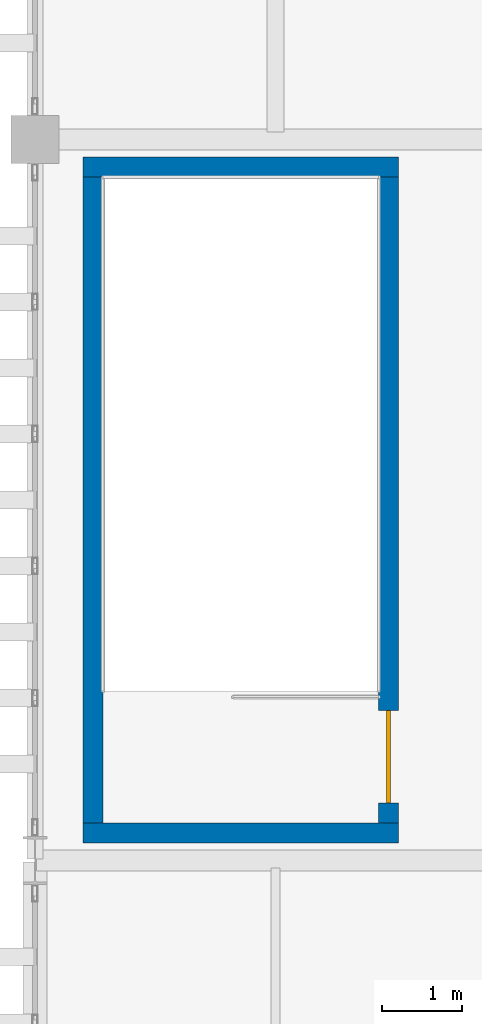
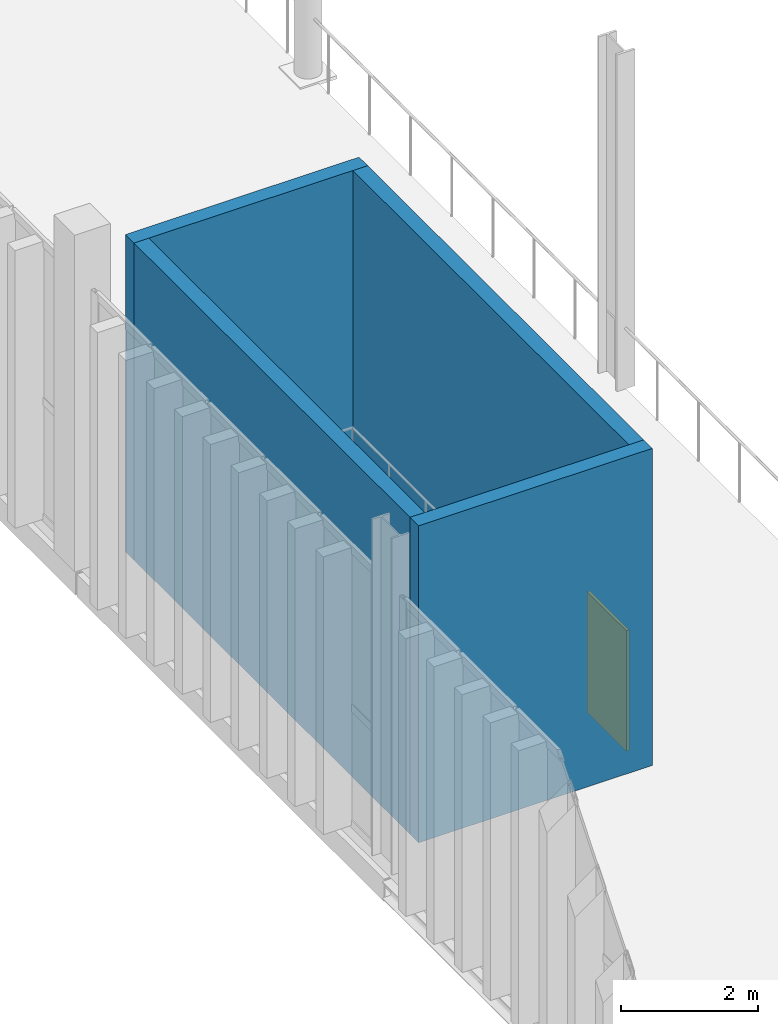
# One storey, part 178 of 211: 4 walls, 1 door, 1 opening.
"""IFC4 building model written with IfcOpenShell, lengths in metres."""

from ifc_helpers import new_model, si_unit, direction, frame, frame_2d, origin, place, context, subcontext, project, spatial, rectangle, extrude, material, layer, layer_set, type_object, element, fill, save


model = new_model("IFC4")

# Units and contexts
model_context = context("Model", 3, precision=1e-05, world=origin(), true_north=direction((0.0, 1.0)))
body_context = subcontext(model_context, "Body", "Model", "MODEL_VIEW")
ifc_project = project(units=[si_unit("LENGTHUNIT", "METRE"), si_unit("AREAUNIT", "SQUARE_METRE"), si_unit("VOLUMEUNIT", "CUBIC_METRE"), si_unit("PLANEANGLEUNIT", "RADIAN"), si_unit("MASSUNIT", "GRAM", prefix="KILO")], contexts=[model_context])

# Site, building, storey
site_placement = place(None, origin())
site = spatial("IfcSite", under=ifc_project, at=site_placement, CompositionType="ELEMENT")
building_placement = place(site_placement, origin())
building = spatial("IfcBuilding", under=site, at=building_placement, Name="Barlavento Convention Centre", CompositionType="ELEMENT")
storey_placement = place(building_placement, frame((0.0, 0.0, 6.0)))
storey = spatial("IfcBuildingStorey", under=building, at=storey_placement, Name="L01", CompositionType="ELEMENT", Elevation=6.0)

# Wall
ifc_material_1 = material(Name="Concrete C50/60", Category="concrete")
ifc_layer = layer(ifc_material_1, 0.25)
ifc_layer_set = layer_set([ifc_layer], Name="STR-WL-CORE-250")
wall_type = type_object("IfcWallType", Name="STR-WL-CORE-250", PredefinedType="SHEAR", material=ifc_layer_set)
wall_1_placement = place(storey_placement, frame((0.72509765625, 90.469970703125, 0.0), z_axis=(0.0, 0.0, 1.0), x_axis=(0.0, 1.0, 0.0)))
element("IfcWall", 1, at=wall_1_placement, inside=storey, type_object=wall_type, Name="L01 interior wall CW-02", PredefinedType="SHEAR", context=body_context, shape_type="SweptSolid", body=[
    extrude(rectangle(XDim=8.06005859375, YDim=0.25, at=frame_2d((4.030029296875, 0.0))), origin(), (0.0, 0.0, 1.0), 5.64990234375),
])

# Wall, opening, door
wall_2_placement = place(storey_placement, frame((4.4150390625, 90.469970703125, 0.0), z_axis=(0.0, 0.0, 1.0), x_axis=(0.0, 1.0, 0.0)))
wall_2 = element("IfcWall", 2, at=wall_2_placement, inside=storey, type_object=wall_type, Name="L01 interior wall CW-02", PredefinedType="SHEAR", context=body_context, shape_type="SweptSolid", body=[
    extrude(rectangle(XDim=8.06005859375, YDim=0.25, at=frame_2d((4.030029296875, 0.0))), origin(), (0.0, 0.0, 1.0), 5.64990234375),
])
opening_placement = place(wall_2_placement, frame((0.25, 0.0, 0.0)))
opening = element("IfcOpeningElement", 3, at=opening_placement, cuts=wall_2, Name="Opening FD-03", PredefinedType="OPENING", context=body_context, shape_type="SweptSolid", body=[
    extrude(rectangle(XDim=1.14990234375, YDim=2.14990234375, at=frame_2d((0.574951171875, 1.074951171875))), frame((0.0, 0.135009765625, 0.0), z_axis=(0.0, -1.0, 0.0), x_axis=(1.0, 0.0, 0.0)), (0.0, 0.0, 1.0), 0.27001953125),
])
ifc_material_2 = material(Name="Painted galvanized steel", Category="steel")
door_type = type_object("IfcDoorType", Name="ARC-DR-FIRE-1150X2150", OperationType="NOTDEFINED", PredefinedType="DOOR", material=ifc_material_2)
door_placement = place(opening_placement, origin())
door = element("IfcDoor", 4, at=door_placement, inside=storey, type_object=door_type, Name="DR-INT-L01-0170 L01 ST11 stair fire door FD-03", OperationType="SINGLE_SWING_RIGHT", OverallHeight=2.14990234375, OverallWidth=1.14990234375, PredefinedType="DOOR", context=body_context, shape_type="SweptSolid", body=[
    extrude(rectangle(XDim=1.14990234375, YDim=2.14990234375, at=frame_2d((0.574951171875, 1.074951171875))), frame((0.0, 0.02490234375, 0.0), z_axis=(0.0, -1.0, 0.0), x_axis=(1.0, 0.0, 0.0)), (0.0, 0.0, 1.0), 0.050048828125),
])
fill(opening, door)

# Walls
for number, where, z_axis, x_axis, name in (
    (5, (0.60009765625, 90.344970703125, 0.0), (0.0, 0.0, 1.0), (1.0, 0.0, 0.0), "L01 interior wall CW-02"),
    (6, (0.60009765625, 98.655029296875, 0.0), (0.0, 0.0, 1.0), (1.0, 0.0, 0.0), "L01 interior wall CW-02"),
):
    element("IfcWall", number, at=place(storey_placement, frame(where, z_axis=z_axis, x_axis=x_axis)), inside=storey, type_object=wall_type, Name=name, PredefinedType="SHEAR", context=body_context, shape_type="SweptSolid", body=[
        extrude(rectangle(XDim=3.93994140625, YDim=0.25, at=frame_2d((1.969970703125, 0.0))), origin(), (0.0, 0.0, 1.0), 5.64990234375),
    ])

save(model, "model.ifc")
